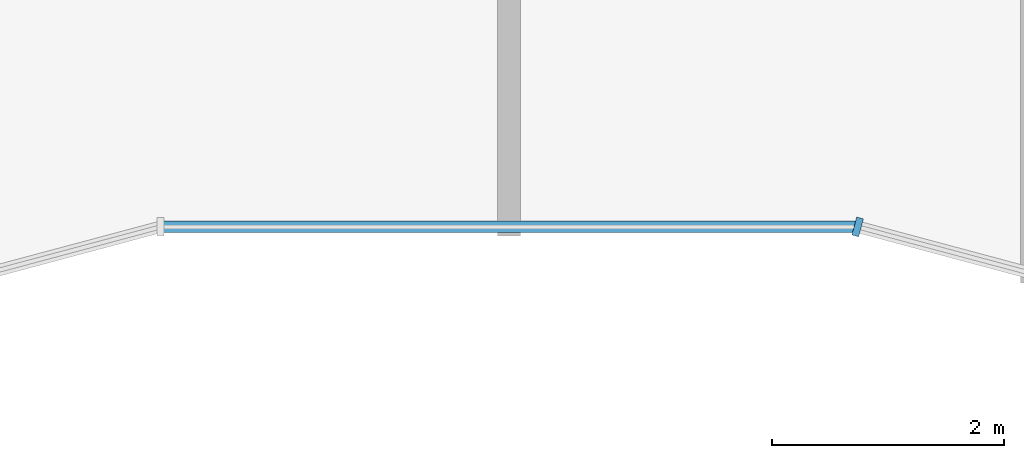
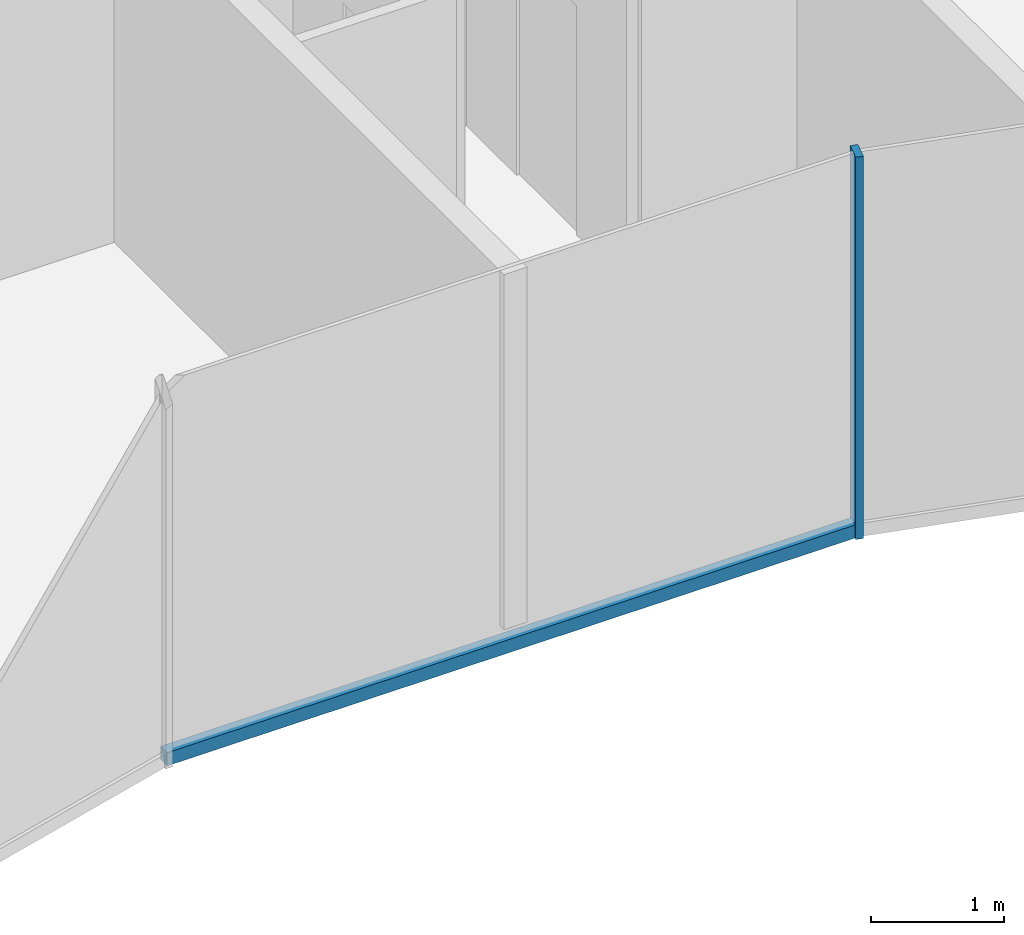
# One storey, part 3 of 10: 2 members, 2 elements without a shape of their own.
"""IFC4 building model written with IfcOpenShell, lengths in metres."""

from ifc_helpers import new_model, si_unit, direction, frame, origin, origin_2d, place, context, subcontext, project, spatial, rectangle, extrude, material, layer, layer_set, material_profile, profile_set, type_object, element, aggregate, save


model = new_model("IFC4")

# Units and contexts
model_context = context("Model", 3, precision=1e-05, world=origin(), true_north=direction((0.0, 1.0)))
body_context = subcontext(model_context, "Body", "Model", "MODEL_VIEW")
ifc_project = project(units=[si_unit("LENGTHUNIT", "METRE"), si_unit("AREAUNIT", "SQUARE_METRE"), si_unit("VOLUMEUNIT", "CUBIC_METRE"), si_unit("PLANEANGLEUNIT", "RADIAN"), si_unit("MASSUNIT", "GRAM", prefix="KILO")], contexts=[model_context])

# Site, building, storey
site_placement = place(None, origin())
site = spatial("IfcSite", under=ifc_project, at=site_placement, CompositionType="ELEMENT")
building_placement = place(site_placement, origin())
building = spatial("IfcBuilding", under=site, at=building_placement, Name="Plateau Cross Towers", CompositionType="ELEMENT")
storey_placement = place(building_placement, frame((0.0, 0.0, 270.39990234375)))
storey = spatial("IfcBuildingStorey", under=building, at=storey_placement, Name="L71", CompositionType="ELEMENT", Elevation=270.39990234375)

# Curtain wall, member
ifc_material_1 = material(Name="Dark low-iron glass", Category="glass")
ifc_layer = layer(ifc_material_1, 0.260009765625)
ifc_layer_set = layer_set([ifc_layer], Name="Dark low-iron glass")
curtain_wall_type = type_object("IfcCurtainWallType", Name="Curtain wall fluted unitised CW-A", PredefinedType="NOTDEFINED", material=ifc_layer_set)
curtain_wall_1_placement = place(storey_placement, origin())
curtain_wall_1 = element("IfcCurtainWall", 1, at=curtain_wall_1_placement, inside=storey, type_object=curtain_wall_type, Name="ENV/A/L71/A300_16", PredefinedType="NOTDEFINED")
ifc_material_2 = material(Name="Black anodised aluminium", Category="aluminium")
ifc_material_profile_1 = material_profile(ifc_material_2, rectangle(XDim=0.06005859375, YDim=0.159912109375, at=origin_2d()), Name="MULLION 60x160")
ifc_profile_set_1 = profile_set([ifc_material_profile_1], Name="Black anodised aluminium")
member_type_1 = type_object("IfcMemberType", Name="Mullion 60x160 fluted unitised", PredefinedType="MULLION", material=ifc_profile_set_1)
member_1_placement = place(storey_placement, frame((30.0, 1.60693359375, -0.25), z_axis=(0.0, 0.0, 1.0), x_axis=(0.965957983404, -0.258699003279, 0.0)))
member_1 = element("IfcMember", 2, at=member_1_placement, type_object=member_type_1, Name="CW-A mullion 1", PredefinedType="MULLION", context=body_context, shape_type="SweptSolid", body=[
    extrude(rectangle(XDim=0.06005859375, YDim=0.159912109375, at=origin_2d()), origin(), (0.0, 0.0, 1.0), 3.5),
])
aggregate(curtain_wall_1, [member_1])

curtain_wall_2_placement = place(storey_placement, origin())
curtain_wall_2 = element("IfcCurtainWall", 3, at=curtain_wall_2_placement, inside=storey, type_object=curtain_wall_type, Name="ENV/A/L71/A240_16", PredefinedType="NOTDEFINED")
ifc_material_profile_2 = material_profile(ifc_material_2, rectangle(XDim=0.10009765625, YDim=0.1201171875, at=origin_2d()), Name="TRANSOM 100x120")
ifc_profile_set_2 = profile_set([ifc_material_profile_2], Name="Black anodised aluminium")
member_type_2 = type_object("IfcMemberType", Name="Transom 100x120 fluted unitised", PredefinedType="USERDEFINED", material=ifc_profile_set_2)
member_2_placement = place(storey_placement, frame((24.0, 1.60693359375, -0.18994140625), z_axis=(1.0, 0.0, 0.0), x_axis=(0.0, 1.0, 0.0)))
member_2 = element("IfcMember", 4, at=member_2_placement, type_object=member_type_2, Name="CW-A transom", ObjectType="TRANSOM", PredefinedType="USERDEFINED", context=body_context, shape_type="SweptSolid", body=[
    extrude(rectangle(XDim=0.10009765625, YDim=0.1201171875, at=origin_2d()), origin(), (0.0, 0.0, 1.0), 6.0),
])
aggregate(curtain_wall_2, [member_2])

save(model, "model.ifc")
